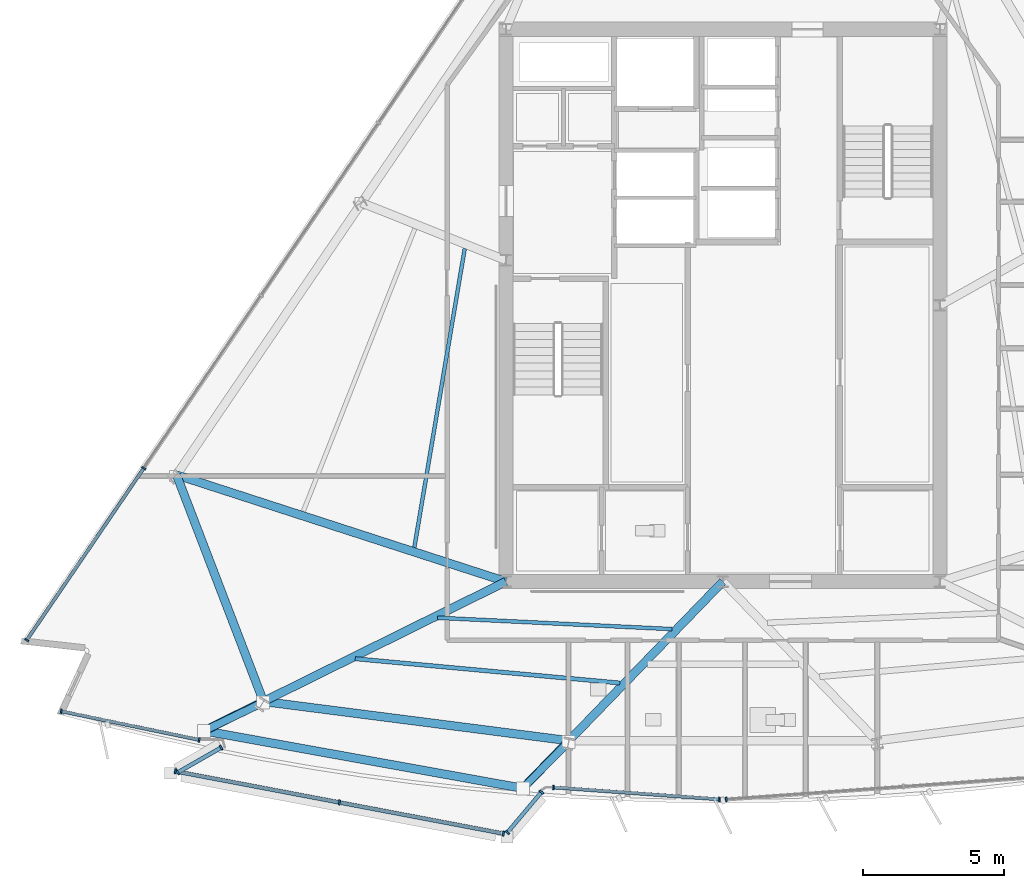
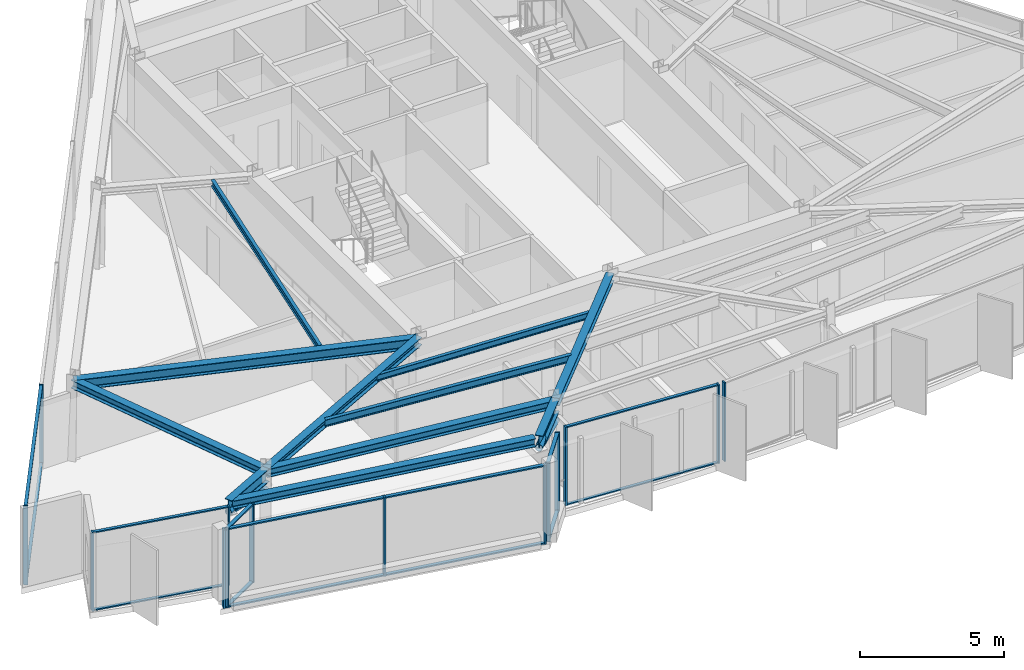
# One storey, part 2 of 14: 30 members, 11 beams, 7 elements without a shape of their own.
"""IFC4 building model written with IfcOpenShell, lengths in metres."""

import ifcopenshell
import ifcopenshell.guid

model = None  # the IFC model being written
_history = None  # IfcOwnerHistory: only IFC2X3 demands one
_inside = {}  # id of a spatial element -> (the spatial element, [elements in it])
_under = {}  # id of a project, library or spatial element -> (it, [spatial elements below it])
_declared = {}  # id of a project -> (the project, [libraries it declares])
_typed = {}  # id of a type object -> (the type object, [elements of that type])
_made_of = {}  # id of a material, layer set ... -> (it, [elements and type objects made of it])


def new_model(schema):
    """Start an empty IFC model of exactly this schema.

    Asked for "IFC4X3", IfcOpenShell would pick the latest addendum, in which some entities
    have other attributes; the version numbers below select the first issue.
    IFC2X3 requires an IfcOwnerHistory on every rooted entity: one is made here for all.
    """
    global model, _history
    if schema == "IFC4X3":
        model = ifcopenshell.file(schema_version=(4, 3, 0, 0))
    else:
        model = ifcopenshell.file(schema=schema)
    _inside.clear()
    _under.clear()
    _declared.clear()
    _typed.clear()
    _made_of.clear()
    _history = None
    if model.schema == "IFC2X3":
        org = make("IfcOrganization", Name="unknown")
        user = make(
            "IfcPersonAndOrganization",
            ThePerson=make("IfcPerson", FamilyName="unknown"),
            TheOrganization=org,
        )
        app = make(
            "IfcApplication",
            ApplicationDeveloper=org,
            Version="unknown",
            ApplicationFullName="unknown",
            ApplicationIdentifier="unknown",
        )
        _history = make(
            "IfcOwnerHistory",
            OwningUser=user,
            OwningApplication=app,
            ChangeAction="ADDED",
            CreationDate=0,
        )
    return model


def make(cls, **values):
    """One entity of the class cls with the attributes given. An attribute that is None is left unset."""
    return model.create_entity(
        cls, **{name: value for name, value in values.items() if value is not None}
    )


def rooted(cls, **values):
    """An entity with a GlobalId (a new one), such as an element, a storey or a relation."""
    return make(cls, GlobalId=ifcopenshell.guid.new(), OwnerHistory=_history, **values)


def si_unit(unit_type, name, prefix=None):
    """IfcSIUnit, for example si_unit("LENGTHUNIT", "METRE", prefix="MILLI")."""
    return make("IfcSIUnit", UnitType=unit_type, Prefix=prefix, Name=name)


def assignment(units):
    """IfcUnitAssignment: the units of a project."""
    return None if units is None else make("IfcUnitAssignment", Units=units)


def point(xyz):
    """IfcCartesianPoint."""
    return None if xyz is None else make("IfcCartesianPoint", Coordinates=xyz)


def direction(xyz):
    """IfcDirection."""
    return None if xyz is None else make("IfcDirection", DirectionRatios=xyz)


def frame(location, z_axis=None, x_axis=None):
    """IfcAxis2Placement3D, a coordinate frame: its origin and axes. An axis left out is left unset."""
    return make(
        "IfcAxis2Placement3D",
        Location=point(location),
        Axis=direction(z_axis),
        RefDirection=direction(x_axis),
    )


def frame_2d(location, x_axis=None):
    """IfcAxis2Placement2D, a coordinate frame in the plane: its origin and x axis."""
    return make(
        "IfcAxis2Placement2D", Location=point(location), RefDirection=direction(x_axis)
    )


def origin():
    """The frame at (0, 0, 0) with its axes left unset."""
    return frame((0.0, 0.0, 0.0))


def origin_2d():
    """The frame at (0, 0) in the plane with its x axis left unset."""
    return frame_2d((0.0, 0.0))


def place(relative_to, where):
    """IfcLocalPlacement: puts the frame where relative to a parent placement (None: the world)."""
    return make(
        "IfcLocalPlacement", PlacementRelTo=relative_to, RelativePlacement=where
    )


def context(
    kind, dimensions, precision=None, world=None, true_north=None, identifier=None
):
    """IfcGeometricRepresentationContext, for example the 3D "Model" context."""
    return make(
        "IfcGeometricRepresentationContext",
        ContextIdentifier=identifier,
        ContextType=kind,
        CoordinateSpaceDimension=dimensions,
        Precision=precision,
        WorldCoordinateSystem=world,
        TrueNorth=true_north,
    )


def subcontext(parent, identifier, kind, view, scale=None):
    """IfcGeometricRepresentationSubContext, for example "Body" below "Model"."""
    return make(
        "IfcGeometricRepresentationSubContext",
        ContextIdentifier=identifier,
        ContextType=kind,
        ParentContext=parent,
        TargetScale=scale,
        TargetView=view,
    )


def project(units=None, contexts=None):
    """IfcProject with its units and contexts."""
    return rooted(
        "IfcProject",
        Name="project",
        RepresentationContexts=contexts,
        UnitsInContext=assignment(units),
    )


def spatial(cls, under=None, at=None, **own):
    """A site, building, storey or space (cls), placed at a placement, below another one or the project."""
    s = rooted(cls, ObjectPlacement=at, **own)
    if under is not None:
        _under.setdefault(under.id(), (under, []))[1].append(s)
    return s


def profile(cls, at=None, kind="AREA", **sizes):
    """A parametric profile (cls). Its sizes go by their IFC names, for example OverallWidth=200.0."""
    return make(cls, ProfileType=kind, Position=at, **sizes)


def rectangle(**sizes):
    """IfcRectangleProfileDef."""
    return profile("IfcRectangleProfileDef", **sizes)


def hollow_circle(**sizes):
    """IfcCircleHollowProfileDef."""
    return profile("IfcCircleHollowProfileDef", **sizes)


def i_section(**sizes):
    """IfcIShapeProfileDef."""
    return profile("IfcIShapeProfileDef", **sizes)


def extrude(swept, where, along, depth):
    """IfcExtrudedAreaSolid: the profile swept, set in the frame where, extruded along a direction by depth."""
    return make(
        "IfcExtrudedAreaSolid",
        SweptArea=swept,
        Position=where,
        ExtrudedDirection=direction(along),
        Depth=depth,
    )


def shape(context_of_items, identifier, shape_type, items):
    """IfcShapeRepresentation: the items that make up one representation, for example the "Body"."""
    return make(
        "IfcShapeRepresentation",
        ContextOfItems=context_of_items,
        RepresentationIdentifier=identifier,
        RepresentationType=shape_type,
        Items=items,
    )


def material(Name=None, Category=None):
    """IfcMaterial."""
    return make("IfcMaterial", Name=Name, Category=Category)


def material_profile(
    of_material, cross_section, Name=None, Category=None, Priority=None
):
    """IfcMaterialProfile: a cross section and its material."""
    return make(
        "IfcMaterialProfile",
        Name=Name,
        Material=of_material,
        Profile=cross_section,
        Priority=Priority,
        Category=Category,
    )


def profile_set(profiles, Name=None, composite=None):
    """IfcMaterialProfileSet."""
    return make(
        "IfcMaterialProfileSet",
        Name=Name,
        MaterialProfiles=profiles,
        CompositeProfile=composite,
    )


def made_of(thing, what):
    """Note that an element or type object is made of a material, layer set ...; save() writes the relation."""
    if what is not None:
        _made_of.setdefault(what.id(), (what, []))[1].append(thing)
    return thing


def type_object(cls, material=None, **own):
    """A type object (cls), such as IfcWallType, which elements share."""
    return made_of(rooted(cls, **own), material)


def element(
    cls,
    number,
    at=None,
    inside=None,
    cuts=None,
    type_object=None,
    material=None,
    context=None,
    identifier="Body",
    shape_type=None,
    held_by="IfcProductDefinitionShape",
    body=None,
    shapes=None,
    **own,
):
    """One element of the class cls, such as IfcWall. Its Tag is "e" and its number.

    at: its placement. inside: the storey or other place that contains it. cuts: it is an
    opening in that element (IfcRelVoidsElement). A single representation is given by context,
    identifier, shape_type and body (its items); several are given by shapes. held_by: the class
    of the entity that holds the representations. save() writes the other relations.
    """
    e = rooted(cls, Tag="e%d" % number, ObjectPlacement=at, **own)
    if body is not None:
        shapes = [shape(context, identifier, shape_type, body)]
    if shapes is not None:
        e.Representation = make(held_by, Representations=shapes)
    if inside is not None:
        _inside.setdefault(inside.id(), (inside, []))[1].append(e)
    if cuts is not None:
        rooted(
            "IfcRelVoidsElement", RelatingBuildingElement=cuts, RelatedOpeningElement=e
        )
    if type_object is not None:
        _typed.setdefault(type_object.id(), (type_object, []))[1].append(e)
    return made_of(e, material)


def aggregate(whole, parts):
    """IfcRelAggregates: a whole, such as a stair, and the parts it consists of."""
    return rooted("IfcRelAggregates", RelatingObject=whole, RelatedObjects=parts)


def save(model, path):
    """Write the relations noted so far, then the file.

    IfcRelAggregates (storeys below a building ...), IfcRelContainedInSpatialStructure (elements
    in a storey), IfcRelDefinesByType, IfcRelAssociatesMaterial and IfcRelDeclares: one each for
    every whole, place, type object, material and project.
    """
    for whole, parts in _under.values():
        aggregate(whole, parts)
    for where, things in _inside.values():
        rooted(
            "IfcRelContainedInSpatialStructure",
            RelatedElements=things,
            RelatingStructure=where,
        )
    for kind, things in _typed.values():
        rooted("IfcRelDefinesByType", RelatedObjects=things, RelatingType=kind)
    for what, things in _made_of.values():
        rooted("IfcRelAssociatesMaterial", RelatedObjects=things, RelatingMaterial=what)
    for by, libraries in _declared.values():
        rooted("IfcRelDeclares", RelatingContext=by, RelatedDefinitions=libraries)
    model.write(path)


model = new_model("IFC4")

# Units and contexts
model_context = context("Model", 3, precision=1e-05, world=origin(), true_north=direction((0.0, 1.0)))
body_context = subcontext(model_context, "Body", "Model", "MODEL_VIEW")
ifc_project = project(units=[si_unit("LENGTHUNIT", "METRE"), si_unit("AREAUNIT", "SQUARE_METRE"), si_unit("VOLUMEUNIT", "CUBIC_METRE"), si_unit("PLANEANGLEUNIT", "RADIAN"), si_unit("MASSUNIT", "GRAM", prefix="KILO")], contexts=[model_context])

# Site, building, storey
site_placement = place(None, origin())
site = spatial("IfcSite", under=ifc_project, at=site_placement, CompositionType="ELEMENT")
building_placement = place(site_placement, origin())
building = spatial("IfcBuilding", under=site, at=building_placement, Name="Savorim Split Tower", CompositionType="ELEMENT")
storey_placement = place(building_placement, frame((0.0, 0.0, 227.10009765625)))
storey = spatial("IfcBuildingStorey", under=building, at=storey_placement, Name="L60", CompositionType="ELEMENT", Elevation=227.10009765625)

# Beams
ifc_material_1 = material(Name="Steel S355", Category="steel")
ifc_material_profile_1 = material_profile(ifc_material_1, i_section(OverallWidth=0.135009765625, OverallDepth=0.27001953125, WebThickness=0.006591796875, FlangeThickness=0.01025390625, FilletRadius=0.014892578125, at=origin_2d()), Name="IPE 270")
ifc_profile_set_1 = profile_set([ifc_material_profile_1], Name="Steel S355")
beam_type_1 = type_object("IfcBeamType", Name="BM-JST-IPE270", PredefinedType="JOIST", material=ifc_profile_set_1)
beam_1_placement = place(storey_placement, frame((-10.1201171875, -10.683837890625, 3.21484375), z_axis=(0.998836023289, -0.048234827471, 0.0), x_axis=(0.048234827471, 0.998836023289, 0.0)))
element("IfcBeam", 1, at=beam_1_placement, inside=storey, type_object=beam_type_1, Name="L60 Secondary Floor Joist JS-02", PredefinedType="JOIST", context=body_context, shape_type="SweptSolid", body=[
    extrude(i_section(OverallWidth=0.135009765625, OverallDepth=0.27001953125, WebThickness=0.006591796875, FlangeThickness=0.01025390625, FilletRadius=0.014892578125, at=origin_2d()), origin(), (0.0, 0.0, 1.0), 8.331298828125),
])
beam_2_placement = place(storey_placement, frame((-9.159423828125, 2.414306640625, 3.21484375), z_axis=(-0.166200386546, -0.986091999517, 0.0), x_axis=(0.986091999517, -0.166200386546, 0.0)))
element("IfcBeam", 2, at=beam_2_placement, inside=storey, type_object=beam_type_1, Name="L60 Secondary Floor Joist JS-11", PredefinedType="JOIST", context=body_context, shape_type="SweptSolid", body=[
    extrude(i_section(OverallWidth=0.135009765625, OverallDepth=0.27001953125, WebThickness=0.006591796875, FlangeThickness=0.01025390625, FilletRadius=0.014892578125, at=origin_2d()), origin(), (0.0, 0.0, 1.0), 10.745361328125),
])
ifc_material_profile_2 = material_profile(ifc_material_1, i_section(OverallWidth=0.14990234375, OverallDepth=0.300048828125, WebThickness=0.007080078125, FlangeThickness=0.0107421875, FilletRadius=0.014892578125, at=origin_2d()), Name="IPE 300")
ifc_profile_set_2 = profile_set([ifc_material_profile_2], Name="Steel S355")
beam_type_2 = type_object("IfcBeamType", Name="BM-JST-IPE300", PredefinedType="JOIST", material=ifc_profile_set_2)
beam_3_placement = place(storey_placement, frame((-13.044677734375, -12.136962890625, 3.199951171875), z_axis=(0.995818586129, -0.091352851731, 0.0), x_axis=(0.091352851731, 0.995818586129, 0.0)))
element("IfcBeam", 3, at=beam_3_placement, inside=storey, type_object=beam_type_2, Name="L60 Secondary Floor Joist JS-01", PredefinedType="JOIST", context=body_context, shape_type="SweptSolid", body=[
    extrude(i_section(OverallWidth=0.14990234375, OverallDepth=0.300048828125, WebThickness=0.007080078125, FlangeThickness=0.0107421875, FilletRadius=0.014892578125, at=origin_2d()), origin(), (0.0, 0.0, 1.0), 9.428466796875),
])
ifc_material_profile_3 = material_profile(ifc_material_1, i_section(OverallWidth=0.300048828125, OverallDepth=0.320068359375, WebThickness=0.011474609375, FlangeThickness=0.0205078125, FilletRadius=0.027099609375, at=origin_2d()), Name="HEB 320")
ifc_profile_set_3 = profile_set([ifc_material_profile_3], Name="Steel S355")
beam_type_3 = type_object("IfcBeamType", Name="BM-PRI-HEB320", PredefinedType="BEAM", material=ifc_profile_set_3)
beam_4_placement = place(storey_placement, frame((-16.2998046875, -13.65380859375, 3.18994140625), z_axis=(0.896337592854, 0.443372213425, 0.0), x_axis=(-0.443372213425, 0.896337592854, 0.0)))
element("IfcBeam", 4, at=beam_4_placement, inside=storey, type_object=beam_type_3, Name="L60 Primary Floor Girder RG-01", PredefinedType="BEAM", context=body_context, shape_type="SweptSolid", body=[
    extrude(i_section(OverallWidth=0.300048828125, OverallDepth=0.320068359375, WebThickness=0.011474609375, FlangeThickness=0.0205078125, FilletRadius=0.027099609375, at=origin_2d()), origin(), (0.0, 0.0, 1.0), 9.594482421875),
])
beam_5_placement = place(storey_placement, frame((-5.462890625, -15.045166015625, 3.18994140625), z_axis=(0.695403825841, 0.718619175229, 0.0), x_axis=(-0.718619175229, 0.695403825841, 0.0)))
element("IfcBeam", 5, at=beam_5_placement, inside=storey, type_object=beam_type_3, Name="L60 Primary Floor Girder RG-02", PredefinedType="BEAM", context=body_context, shape_type="SweptSolid", body=[
    extrude(i_section(OverallWidth=0.300048828125, OverallDepth=0.320068359375, WebThickness=0.011474609375, FlangeThickness=0.0205078125, FilletRadius=0.027099609375, at=origin_2d()), origin(), (0.0, 0.0, 1.0), 7.855712890625),
])
ifc_material_profile_4 = material_profile(ifc_material_1, i_section(OverallWidth=0.300048828125, OverallDepth=0.449951171875, WebThickness=0.013916015625, FlangeThickness=0.02587890625, FilletRadius=0.027099609375, at=origin_2d()), Name="HEB 450")
ifc_profile_set_4 = profile_set([ifc_material_profile_4], Name="Steel S355")
beam_type_4 = type_object("IfcBeamType", Name="BM-PRI-HEB450", PredefinedType="BEAM", material=ifc_profile_set_4)
beam_6_placement = place(storey_placement, frame((-19.3857421875, -5.612548828125, 3.125), z_axis=(0.951285693022, -0.308310768951, 0.0), x_axis=(0.308310768951, 0.951285693022, 0.0)))
element("IfcBeam", 6, at=beam_6_placement, inside=storey, type_object=beam_type_4, Name="L60 Primary Floor Girder RG-10", PredefinedType="BEAM", context=body_context, shape_type="SweptSolid", body=[
    extrude(i_section(OverallWidth=0.300048828125, OverallDepth=0.449951171875, WebThickness=0.013916015625, FlangeThickness=0.02587890625, FilletRadius=0.027099609375, at=origin_2d()), origin(), (0.0, 0.0, 1.0), 12.2841796875),
])
ifc_material_profile_5 = material_profile(ifc_material_1, i_section(OverallWidth=0.300048828125, OverallDepth=0.550048828125, WebThickness=0.014892578125, FlangeThickness=0.029052734375, FilletRadius=0.027099609375, at=origin_2d()), Name="HEB 550")
ifc_profile_set_5 = profile_set([ifc_material_profile_5], Name="Steel S355")
beam_type_5 = type_object("IfcBeamType", Name="BM-PRI-HEB550", PredefinedType="BEAM", material=ifc_profile_set_5)
beam_7_placement = place(storey_placement, frame((-16.2998046875, -13.65380859375, 3.074951171875), z_axis=(-0.896371812182, -0.443303027652, 0.0), x_axis=(0.443303027652, -0.896371812182, 0.0)))
element("IfcBeam", 7, at=beam_7_placement, inside=storey, type_object=beam_type_5, Name="L60 Cantilevered Lounge Rib 1", PredefinedType="BEAM", context=body_context, shape_type="SweptSolid", body=[
    extrude(i_section(OverallWidth=0.300048828125, OverallDepth=0.550048828125, WebThickness=0.014892578125, FlangeThickness=0.029052734375, FilletRadius=0.027099609375, at=origin_2d()), origin(), (0.0, 0.0, 1.0), 2.349853515625),
])
beam_8_placement = place(storey_placement, frame((-5.462890625, -15.045166015625, 3.074951171875), z_axis=(-0.69542834965, -0.718595442863, 0.0), x_axis=(0.718595442863, -0.69542834965, 0.0)))
element("IfcBeam", 8, at=beam_8_placement, inside=storey, type_object=beam_type_5, Name="L60 Cantilevered Lounge Rib 2", PredefinedType="BEAM", context=body_context, shape_type="SweptSolid", body=[
    extrude(i_section(OverallWidth=0.300048828125, OverallDepth=0.550048828125, WebThickness=0.014892578125, FlangeThickness=0.029052734375, FilletRadius=0.027099609375, at=origin_2d()), origin(), (0.0, 0.0, 1.0), 2.35009765625),
])
ifc_material_profile_6 = material_profile(ifc_material_1, i_section(OverallWidth=0.300048828125, OverallDepth=0.35009765625, WebThickness=0.010009765625, FlangeThickness=0.017578125, FilletRadius=0.027099609375, at=origin_2d()), Name="HEA 360")
ifc_profile_set_6 = profile_set([ifc_material_profile_6], Name="Steel S355")
beam_type_6 = type_object("IfcBeamType", Name="BM-SPN-HEA360", PredefinedType="SPANDREL", material=ifc_profile_set_6)
beam_9_placement = place(storey_placement, frame((-16.2998046875, -13.65380859375, 3.1748046875), z_axis=(0.991858450228, -0.127345257904, 0.0), x_axis=(0.127345257904, 0.991858450228, 0.0)))
element("IfcBeam", 9, at=beam_9_placement, inside=storey, type_object=beam_type_6, Name="L60 Perimeter Spandrel Beam 1", PredefinedType="SPANDREL", context=body_context, shape_type="SweptSolid", body=[
    extrude(i_section(OverallWidth=0.300048828125, OverallDepth=0.35009765625, WebThickness=0.010009765625, FlangeThickness=0.017578125, FilletRadius=0.027099609375, at=origin_2d()), origin(), (0.0, 0.0, 1.0), 10.92578125),
])
beam_10_placement = place(storey_placement, frame((-19.3857421875, -5.612548828125, 3.1748046875), z_axis=(0.358285687183, -0.933611999901, 0.0), x_axis=(0.933611999901, 0.358285687183, 0.0)))
element("IfcBeam", 10, at=beam_10_placement, inside=storey, type_object=beam_type_6, Name="L60 Perimeter Spandrel Beam 10", PredefinedType="SPANDREL", context=body_context, shape_type="SweptSolid", body=[
    extrude(i_section(OverallWidth=0.300048828125, OverallDepth=0.35009765625, WebThickness=0.010009765625, FlangeThickness=0.017578125, FilletRadius=0.027099609375, at=origin_2d()), origin(), (0.0, 0.0, 1.0), 8.613037109375),
])
beam_11_placement = place(storey_placement, frame((-18.248779296875, -14.72412109375, 3.1748046875), z_axis=(0.984148096995, -0.17734859227, 0.0), x_axis=(0.17734859227, 0.984148096995, 0.0)))
element("IfcBeam", 11, at=beam_11_placement, inside=storey, type_object=beam_type_6, Name="L60 Cantilevered Lounge Front Edge Beam", PredefinedType="SPANDREL", context=body_context, shape_type="SweptSolid", body=[
    extrude(i_section(OverallWidth=0.300048828125, OverallDepth=0.35009765625, WebThickness=0.010009765625, FlangeThickness=0.017578125, FilletRadius=0.027099609375, at=origin_2d()), origin(), (0.0, 0.0, 1.0), 11.171142578125),
])

# Curtain wall, members
ifc_material_2 = material(Name="Dark Ceramic-Fritted Insulated Glass", Category="glass")
curtain_wall_type_1 = type_object("IfcCurtainWallType", Name="CW-TWR-FRIT-B", PredefinedType="NOTDEFINED", material=ifc_material_2)
curtain_wall_1_placement = place(storey_placement, origin())
curtain_wall_1 = element("IfcCurtainWall", 12, at=curtain_wall_1_placement, inside=storey, type_object=curtain_wall_type_1, Name="L60 Curtain Wall CW-L60-SF1A", PredefinedType="NOTDEFINED")
ifc_material_3 = material(Name="Charcoal Anodised Aluminium", Category="aluminium")
ifc_material_profile_7 = material_profile(ifc_material_3, rectangle(XDim=0.159912109375, YDim=0.06005859375, at=origin_2d()), Name="ALU-M 160x60")
ifc_profile_set_7 = profile_set([ifc_material_profile_7], Name="Charcoal Anodised Aluminium")
member_type_1 = type_object("IfcMemberType", Name="CWM-160x60", PredefinedType="MULLION", material=ifc_profile_set_7)
member_1_placement = place(storey_placement, frame((-23.47705078125, -14.0, 0.0), z_axis=(0.0, 0.0, 1.0), x_axis=(0.203212165958, 0.979134728016, 0.0)))
member_1 = element("IfcMember", 13, at=member_1_placement, type_object=member_type_1, Name="CW-03 mullion 1", PredefinedType="MULLION", context=body_context, shape_type="SweptSolid", body=[
    extrude(rectangle(XDim=0.159912109375, YDim=0.06005859375, at=origin_2d()), origin(), (0.0, 0.0, 1.0), 3.349853515625),
])
member_2_placement = place(storey_placement, frame((-18.582763671875, -15.015869140625, 0.0), z_axis=(0.0, 0.0, 1.0), x_axis=(0.203212165958, 0.979134728016, 0.0)))
member_2 = element("IfcMember", 14, at=member_2_placement, type_object=member_type_1, Name="CW-03 mullion 2", PredefinedType="MULLION", context=body_context, shape_type="SweptSolid", body=[
    extrude(rectangle(XDim=0.159912109375, YDim=0.06005859375, at=origin_2d()), origin(), (0.0, 0.0, 1.0), 3.349853515625),
])

curtain_wall_2_placement = place(storey_placement, origin())
curtain_wall_2 = element("IfcCurtainWall", 15, at=curtain_wall_2_placement, inside=storey, type_object=curtain_wall_type_1, Name="L60 Curtain Wall CW-L60-SF2A", PredefinedType="NOTDEFINED")
member_3_placement = place(storey_placement, frame((-6.009521484375, -16.701416015625, 0.0), z_axis=(0.0, 0.0, 1.0), x_axis=(0.071567603964, 0.997435751346, 0.0)))
member_3 = element("IfcMember", 16, at=member_3_placement, type_object=member_type_1, Name="CW-03 mullion 1", PredefinedType="MULLION", context=body_context, shape_type="SweptSolid", body=[
    extrude(rectangle(XDim=0.159912109375, YDim=0.06005859375, at=origin_2d()), origin(), (0.0, 0.0, 1.0), 3.349853515625),
])
member_4_placement = place(storey_placement, frame((-0.12109375, -17.123779296875, 0.0), z_axis=(0.0, 0.0, 1.0), x_axis=(0.071567603964, 0.997435751346, 0.0)))
member_4 = element("IfcMember", 17, at=member_4_placement, type_object=member_type_1, Name="CW-03 mullion 2", PredefinedType="MULLION", context=body_context, shape_type="SweptSolid", body=[
    extrude(rectangle(XDim=0.159912109375, YDim=0.06005859375, at=origin_2d()), origin(), (0.0, 0.0, 1.0), 3.349853515625),
])

# Curtain wall, member
curtain_wall_3_placement = place(storey_placement, origin())
curtain_wall_3 = element("IfcCurtainWall", 18, at=curtain_wall_3_placement, inside=storey, type_object=curtain_wall_type_1, Name="L60 Curtain Wall CW-L60-SF3A", PredefinedType="NOTDEFINED")
member_5_placement = place(storey_placement, frame((0.12109375, -17.123779296875, 0.0), z_axis=(0.0, 0.0, 1.0), x_axis=(-0.071560189997, 0.997436283282, 0.0)))
member_5 = element("IfcMember", 19, at=member_5_placement, type_object=member_type_1, Name="CW-03 mullion 1", PredefinedType="MULLION", context=body_context, shape_type="SweptSolid", body=[
    extrude(rectangle(XDim=0.159912109375, YDim=0.06005859375, at=origin_2d()), origin(), (0.0, 0.0, 1.0), 3.349853515625),
])
aggregate(curtain_wall_3, [member_5])

# Curtain wall, members
curtain_wall_4_placement = place(storey_placement, origin())
curtain_wall_4 = element("IfcCurtainWall", 20, at=curtain_wall_4_placement, inside=storey, type_object=curtain_wall_type_1, Name="L60 Curtain Wall CW-L60-WEST", PredefinedType="NOTDEFINED")
member_6_placement = place(storey_placement, frame((-20.5498046875, -5.375732421875, 0.0), z_axis=(0.0, 0.0, 1.0), x_axis=(0.826820024782, -0.562466573779, 0.0)))
member_6 = element("IfcMember", 21, at=member_6_placement, type_object=member_type_1, Name="CW-03 mullion 4", PredefinedType="MULLION", context=body_context, shape_type="SweptSolid", body=[
    extrude(rectangle(XDim=0.159912109375, YDim=0.06005859375, at=origin_2d()), origin(), (0.0, 0.0, 1.0), 3.349853515625),
])
member_7_placement = place(storey_placement, frame((-24.699462890625, -11.4755859375, 0.0), z_axis=(0.0, 0.0, 1.0), x_axis=(0.826820024782, -0.562466573779, 0.0)))
member_7 = element("IfcMember", 22, at=member_7_placement, type_object=member_type_1, Name="CW-03 mullion 5", PredefinedType="MULLION", context=body_context, shape_type="SweptSolid", body=[
    extrude(rectangle(XDim=0.159912109375, YDim=0.06005859375, at=origin_2d()), origin(), (0.0, 0.0, 1.0), 3.349853515625),
])

curtain_wall_type_2 = type_object("IfcCurtainWallType", Name="CW-BAY-LOUNGE", PredefinedType="NOTDEFINED", material=ifc_material_2)
curtain_wall_5_placement = place(storey_placement, origin())
curtain_wall_5 = element("IfcCurtainWall", 23, at=curtain_wall_5_placement, inside=storey, type_object=curtain_wall_type_2, Name="L60 Curtain Wall CW-L60-BAYF", PredefinedType="NOTDEFINED")
ifc_material_profile_8 = material_profile(ifc_material_3, rectangle(XDim=0.179931640625, YDim=0.06494140625, at=origin_2d()), Name="ALU-M 180x65")
ifc_profile_set_8 = profile_set([ifc_material_profile_8], Name="Charcoal Anodised Aluminium")
member_type_2 = type_object("IfcMemberType", Name="CWM-180x65", PredefinedType="MULLION", material=ifc_profile_set_8)
member_8_placement = place(storey_placement, frame((-19.42578125, -16.13037109375, 0.0), z_axis=(0.0, 0.0, 1.0), x_axis=(0.186567075437, 0.982442225458, 0.0)))
member_8 = element("IfcMember", 24, at=member_8_placement, type_object=member_type_2, Name="CW-04 mullion 1", PredefinedType="MULLION", context=body_context, shape_type="SweptSolid", body=[
    extrude(rectangle(XDim=0.179931640625, YDim=0.06494140625, at=origin_2d()), origin(), (0.0, 0.0, 1.0), 3.349853515625),
])
member_9_placement = place(storey_placement, frame((-13.60546875, -17.235595703125, 0.0), z_axis=(0.0, 0.0, 1.0), x_axis=(0.186567075437, 0.982442225458, 0.0)))
member_9 = element("IfcMember", 25, at=member_9_placement, type_object=member_type_2, Name="CW-04 mullion 2", PredefinedType="MULLION", context=body_context, shape_type="SweptSolid", body=[
    extrude(rectangle(XDim=0.179931640625, YDim=0.06494140625, at=origin_2d()), origin(), (0.0, 0.0, 1.0), 3.349853515625),
])
member_10_placement = place(storey_placement, frame((-7.78515625, -18.3408203125, 0.0), z_axis=(0.0, 0.0, 1.0), x_axis=(0.186567075437, 0.982442225458, 0.0)))
member_10 = element("IfcMember", 26, at=member_10_placement, type_object=member_type_2, Name="CW-04 mullion 3", PredefinedType="MULLION", context=body_context, shape_type="SweptSolid", body=[
    extrude(rectangle(XDim=0.179931640625, YDim=0.06494140625, at=origin_2d()), origin(), (0.0, 0.0, 1.0), 3.349853515625),
])

curtain_wall_6_placement = place(storey_placement, origin())
curtain_wall_6 = element("IfcCurtainWall", 27, at=curtain_wall_6_placement, inside=storey, type_object=curtain_wall_type_2, Name="L60 Curtain Wall CW-L60-BAYW", PredefinedType="NOTDEFINED")
member_11_placement = place(storey_placement, frame((-17.8017578125, -15.29052734375, 0.0), z_axis=(0.0, 0.0, 1.0), x_axis=(0.49632671971, -0.868135811554, 0.0)))
member_11 = element("IfcMember", 28, at=member_11_placement, type_object=member_type_2, Name="CW-04 mullion 1", PredefinedType="MULLION", context=body_context, shape_type="SweptSolid", body=[
    extrude(rectangle(XDim=0.179931640625, YDim=0.06494140625, at=origin_2d()), origin(), (0.0, 0.0, 1.0), 3.349853515625),
])
member_12_placement = place(storey_placement, frame((-19.33837890625, -16.169189453125, 0.0), z_axis=(0.0, 0.0, 1.0), x_axis=(0.49632671971, -0.868135811554, 0.0)))
member_12 = element("IfcMember", 29, at=member_12_placement, type_object=member_type_2, Name="CW-04 mullion 2", PredefinedType="MULLION", context=body_context, shape_type="SweptSolid", body=[
    extrude(rectangle(XDim=0.179931640625, YDim=0.06494140625, at=origin_2d()), origin(), (0.0, 0.0, 1.0), 3.349853515625),
])

curtain_wall_7_placement = place(storey_placement, origin())
curtain_wall_7 = element("IfcCurtainWall", 30, at=curtain_wall_7_placement, inside=storey, type_object=curtain_wall_type_2, Name="L60 Curtain Wall CW-L60-BAYE", PredefinedType="NOTDEFINED")
member_13_placement = place(storey_placement, frame((-7.64501953125, -18.3017578125, 0.0), z_axis=(0.0, 0.0, 1.0), x_axis=(-0.764175565711, 0.645008298218, 0.0)))
member_13 = element("IfcMember", 31, at=member_13_placement, type_object=member_type_2, Name="CW-04 mullion 1", PredefinedType="MULLION", context=body_context, shape_type="SweptSolid", body=[
    extrude(rectangle(XDim=0.179931640625, YDim=0.06494140625, at=origin_2d()), origin(), (0.0, 0.0, 1.0), 3.349853515625),
])
member_14_placement = place(storey_placement, frame((-6.435546875, -16.868896484375, 0.0), z_axis=(0.0, 0.0, 1.0), x_axis=(-0.764175565711, 0.645008298218, 0.0)))
member_14 = element("IfcMember", 32, at=member_14_placement, type_object=member_type_2, Name="CW-04 mullion 2", PredefinedType="MULLION", context=body_context, shape_type="SweptSolid", body=[
    extrude(rectangle(XDim=0.179931640625, YDim=0.06494140625, at=origin_2d()), origin(), (0.0, 0.0, 1.0), 3.349853515625),
])

# Member
ifc_material_profile_9 = material_profile(ifc_material_3, rectangle(XDim=0.1201171875, YDim=0.050048828125, at=origin_2d()), Name="ALU-T 120x50")
ifc_profile_set_9 = profile_set([ifc_material_profile_9], Name="Charcoal Anodised Aluminium")
member_type_3 = type_object("IfcMemberType", Name="CWT-120x50", PredefinedType="USERDEFINED", material=ifc_profile_set_9)
member_15_placement = place(storey_placement, frame((-23.44775390625, -14.006103515625, 0.02490234375), z_axis=(0.979132723929, -0.203221821986, 0.0), x_axis=(0.203221821986, 0.979132723929, 0.0)))
member_15 = element("IfcMember", 33, at=member_15_placement, type_object=member_type_3, Name="CW-03 transom 1.1", ObjectType="TRANSOM", PredefinedType="USERDEFINED", context=body_context, shape_type="SweptSolid", body=[
    extrude(rectangle(XDim=0.1201171875, YDim=0.050048828125, at=origin_2d()), origin(), (0.0, 0.0, 1.0), 4.938720703125),
])

member_16_placement = place(storey_placement, frame((-23.44775390625, -14.006103515625, 3.324951171875), z_axis=(0.979132723929, -0.203221821986, 0.0), x_axis=(0.203221821986, 0.979132723929, 0.0)))
member_16 = element("IfcMember", 34, at=member_16_placement, type_object=member_type_3, Name="CW-03 transom 1.2", ObjectType="TRANSOM", PredefinedType="USERDEFINED", context=body_context, shape_type="SweptSolid", body=[
    extrude(rectangle(XDim=0.1201171875, YDim=0.050048828125, at=origin_2d()), origin(), (0.0, 0.0, 1.0), 4.938720703125),
])

aggregate(curtain_wall_1, [member_1, member_2, member_15, member_16])

member_17_placement = place(storey_placement, frame((-5.979736328125, -16.70361328125, 0.02490234375), z_axis=(0.997435743975, -0.071567706686, 0.0), x_axis=(0.071567706686, 0.997435743975, 0.0)))
member_17 = element("IfcMember", 35, at=member_17_placement, type_object=member_type_3, Name="CW-03 transom 1.1", ObjectType="TRANSOM", PredefinedType="USERDEFINED", context=body_context, shape_type="SweptSolid", body=[
    extrude(rectangle(XDim=0.1201171875, YDim=0.050048828125, at=origin_2d()), origin(), (0.0, 0.0, 1.0), 5.843505859375),
])

member_18_placement = place(storey_placement, frame((-5.979736328125, -16.70361328125, 3.324951171875), z_axis=(0.997435743975, -0.071567706686, 0.0), x_axis=(0.071567706686, 0.997435743975, 0.0)))
member_18 = element("IfcMember", 36, at=member_18_placement, type_object=member_type_3, Name="CW-03 transom 1.2", ObjectType="TRANSOM", PredefinedType="USERDEFINED", context=body_context, shape_type="SweptSolid", body=[
    extrude(rectangle(XDim=0.1201171875, YDim=0.050048828125, at=origin_2d()), origin(), (0.0, 0.0, 1.0), 5.843505859375),
])

aggregate(curtain_wall_2, [member_3, member_4, member_17, member_18])

member_19_placement = place(storey_placement, frame((-20.566650390625, -5.400390625, 0.02490234375), z_axis=(-0.562475185049, -0.826814166669, 0.0), x_axis=(0.826814166669, -0.562475185049, 0.0)))
member_19 = element("IfcMember", 37, at=member_19_placement, type_object=member_type_3, Name="CW-03 transom 4.1", ObjectType="TRANSOM", PredefinedType="USERDEFINED", context=body_context, shape_type="SweptSolid", body=[
    extrude(rectangle(XDim=0.1201171875, YDim=0.050048828125, at=origin_2d()), origin(), (0.0, 0.0, 1.0), 7.317626953125),
])

member_20_placement = place(storey_placement, frame((-20.566650390625, -5.400390625, 3.324951171875), z_axis=(-0.562475185049, -0.826814166669, 0.0), x_axis=(0.826814166669, -0.562475185049, 0.0)))
member_20 = element("IfcMember", 38, at=member_20_placement, type_object=member_type_3, Name="CW-03 transom 4.2", ObjectType="TRANSOM", PredefinedType="USERDEFINED", context=body_context, shape_type="SweptSolid", body=[
    extrude(rectangle(XDim=0.1201171875, YDim=0.050048828125, at=origin_2d()), origin(), (0.0, 0.0, 1.0), 7.317626953125),
])

aggregate(curtain_wall_4, [member_6, member_7, member_19, member_20])

ifc_material_profile_10 = material_profile(ifc_material_3, rectangle(XDim=0.139892578125, YDim=0.054931640625, at=origin_2d()), Name="ALU-T 140x55")
ifc_profile_set_10 = profile_set([ifc_material_profile_10], Name="Charcoal Anodised Aluminium")
member_type_4 = type_object("IfcMemberType", Name="CWT-140x55", PredefinedType="USERDEFINED", material=ifc_profile_set_10)
member_21_placement = place(storey_placement, frame((-19.39404296875, -16.136474609375, 0.02734375), z_axis=(0.982447442896, -0.186539598874, 0.0), x_axis=(0.186539598874, 0.982447442896, 0.0)))
member_21 = element("IfcMember", 39, at=member_21_placement, type_object=member_type_4, Name="CW-04 transom 1.1", ObjectType="TRANSOM", PredefinedType="USERDEFINED", context=body_context, shape_type="SweptSolid", body=[
    extrude(rectangle(XDim=0.139892578125, YDim=0.054931640625, at=origin_2d()), origin(), (0.0, 0.0, 1.0), 5.859375),
])

member_22_placement = place(storey_placement, frame((-19.39404296875, -16.136474609375, 3.322509765625), z_axis=(0.982447442896, -0.186539598874, 0.0), x_axis=(0.186539598874, 0.982447442896, 0.0)))
member_22 = element("IfcMember", 40, at=member_22_placement, type_object=member_type_4, Name="CW-04 transom 1.2", ObjectType="TRANSOM", PredefinedType="USERDEFINED", context=body_context, shape_type="SweptSolid", body=[
    extrude(rectangle(XDim=0.139892578125, YDim=0.054931640625, at=origin_2d()), origin(), (0.0, 0.0, 1.0), 5.859375),
])

member_23_placement = place(storey_placement, frame((-13.57373046875, -17.24169921875, 0.02734375), z_axis=(0.98243980616, -0.18657981475, 0.0), x_axis=(0.18657981475, 0.98243980616, 0.0)))
member_23 = element("IfcMember", 41, at=member_23_placement, type_object=member_type_4, Name="CW-04 transom 2.1", ObjectType="TRANSOM", PredefinedType="USERDEFINED", context=body_context, shape_type="SweptSolid", body=[
    extrude(rectangle(XDim=0.139892578125, YDim=0.054931640625, at=origin_2d()), origin(), (0.0, 0.0, 1.0), 5.859375),
])

member_24_placement = place(storey_placement, frame((-13.57373046875, -17.24169921875, 3.322509765625), z_axis=(0.98243980616, -0.18657981475, 0.0), x_axis=(0.18657981475, 0.98243980616, 0.0)))
member_24 = element("IfcMember", 42, at=member_24_placement, type_object=member_type_4, Name="CW-04 transom 2.2", ObjectType="TRANSOM", PredefinedType="USERDEFINED", context=body_context, shape_type="SweptSolid", body=[
    extrude(rectangle(XDim=0.139892578125, YDim=0.054931640625, at=origin_2d()), origin(), (0.0, 0.0, 1.0), 5.859375),
])

aggregate(curtain_wall_5, [member_8, member_9, member_10, member_21, member_22, member_23, member_24])

member_25_placement = place(storey_placement, frame((-17.830078125, -15.306640625, 0.02734375), z_axis=(-0.86809331546, -0.496401043163, 0.0), x_axis=(0.496401043163, -0.86809331546, 0.0)))
member_25 = element("IfcMember", 43, at=member_25_placement, type_object=member_type_4, Name="CW-04 transom 1.1", ObjectType="TRANSOM", PredefinedType="USERDEFINED", context=body_context, shape_type="SweptSolid", body=[
    extrude(rectangle(XDim=0.139892578125, YDim=0.054931640625, at=origin_2d()), origin(), (0.0, 0.0, 1.0), 1.705078125),
])

member_26_placement = place(storey_placement, frame((-17.830078125, -15.306640625, 3.322509765625), z_axis=(-0.86809331546, -0.496401043163, 0.0), x_axis=(0.496401043163, -0.86809331546, 0.0)))
member_26 = element("IfcMember", 44, at=member_26_placement, type_object=member_type_4, Name="CW-04 transom 1.2", ObjectType="TRANSOM", PredefinedType="USERDEFINED", context=body_context, shape_type="SweptSolid", body=[
    extrude(rectangle(XDim=0.139892578125, YDim=0.054931640625, at=origin_2d()), origin(), (0.0, 0.0, 1.0), 1.705078125),
])

aggregate(curtain_wall_6, [member_11, member_12, member_25, member_26])

member_27_placement = place(storey_placement, frame((-7.6240234375, -18.277099609375, 0.02734375), z_axis=(0.644974340374, 0.7642042268, 0.0), x_axis=(-0.7642042268, 0.644974340374, 0.0)))
member_27 = element("IfcMember", 45, at=member_27_placement, type_object=member_type_4, Name="CW-04 transom 1.1", ObjectType="TRANSOM", PredefinedType="USERDEFINED", context=body_context, shape_type="SweptSolid", body=[
    extrude(rectangle(XDim=0.139892578125, YDim=0.054931640625, at=origin_2d()), origin(), (0.0, 0.0, 1.0), 1.81005859375),
])

member_28_placement = place(storey_placement, frame((-7.6240234375, -18.277099609375, 3.322509765625), z_axis=(0.644974340374, 0.7642042268, 0.0), x_axis=(-0.7642042268, 0.644974340374, 0.0)))
member_28 = element("IfcMember", 46, at=member_28_placement, type_object=member_type_4, Name="CW-04 transom 1.2", ObjectType="TRANSOM", PredefinedType="USERDEFINED", context=body_context, shape_type="SweptSolid", body=[
    extrude(rectangle(XDim=0.139892578125, YDim=0.054931640625, at=origin_2d()), origin(), (0.0, 0.0, 1.0), 1.81005859375),
])

aggregate(curtain_wall_7, [member_13, member_14, member_27, member_28])

# Members
ifc_material_profile_11 = material_profile(ifc_material_1, hollow_circle(Radius=0.136474609375, WallThickness=0.01611328125, at=origin_2d()), Name="CHS 273x16")
ifc_profile_set_11 = profile_set([ifc_material_profile_11], Name="Steel S355")
member_type_5 = type_object("IfcMemberType", Name="MBR-CRN-CHS273", PredefinedType="BRACE", material=ifc_profile_set_11)
member_29_placement = place(storey_placement, frame((-16.323486328125, -13.692138671875, 2.449951171875), z_axis=(-0.889586081013, -0.428577985343, 0.157979476349), x_axis=(0.43402834146, -0.900899216788, 0.0)))
element("IfcMember", 47, at=member_29_placement, inside=storey, type_object=member_type_5, Name="L60 Cantilevered Bay Support Strut 1", PredefinedType="BRACE", context=body_context, shape_type="SweptSolid", body=[
    extrude(hollow_circle(Radius=0.136474609375, WallThickness=0.01611328125, at=origin_2d()), origin(), (0.0, 0.0, 1.0), 2.34130859375),
])
member_30_placement = place(storey_placement, frame((-5.470947265625, -15.085693359375, 2.449951171875), z_axis=(-0.693552657959, -0.702923584129, 0.157743923856), x_axis=(0.711835729952, -0.702345992773, 0.0)))
element("IfcMember", 48, at=member_30_placement, inside=storey, type_object=member_type_5, Name="L60 Cantilevered Bay Support Strut 2", PredefinedType="BRACE", context=body_context, shape_type="SweptSolid", body=[
    extrude(hollow_circle(Radius=0.136474609375, WallThickness=0.01611328125, at=origin_2d()), origin(), (0.0, 0.0, 1.0), 2.3447265625),
])

save(model, "model.ifc")
